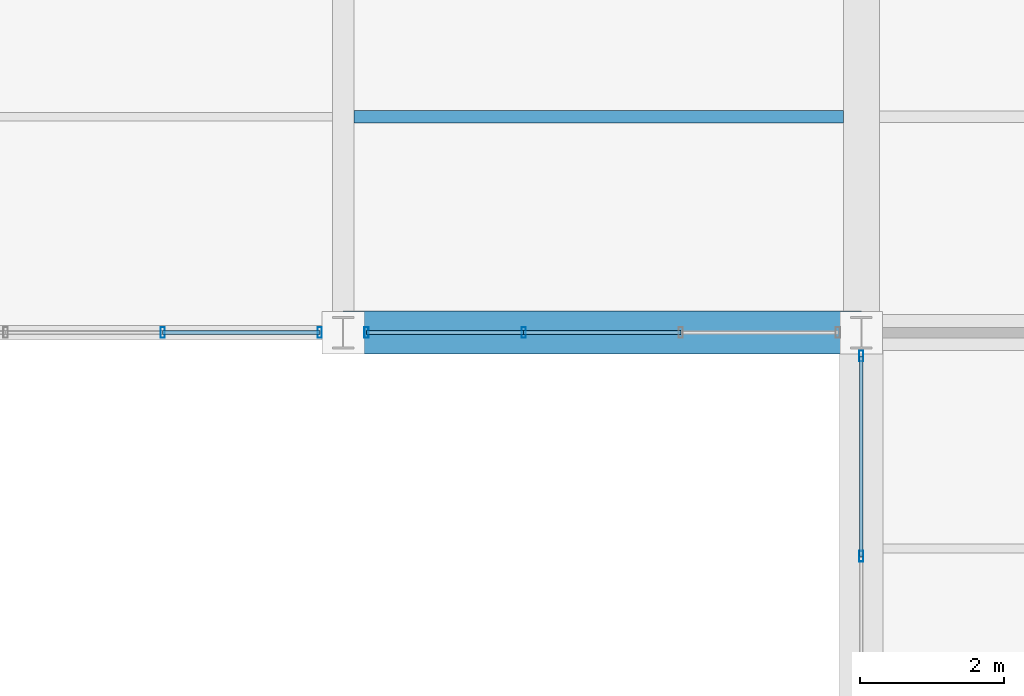
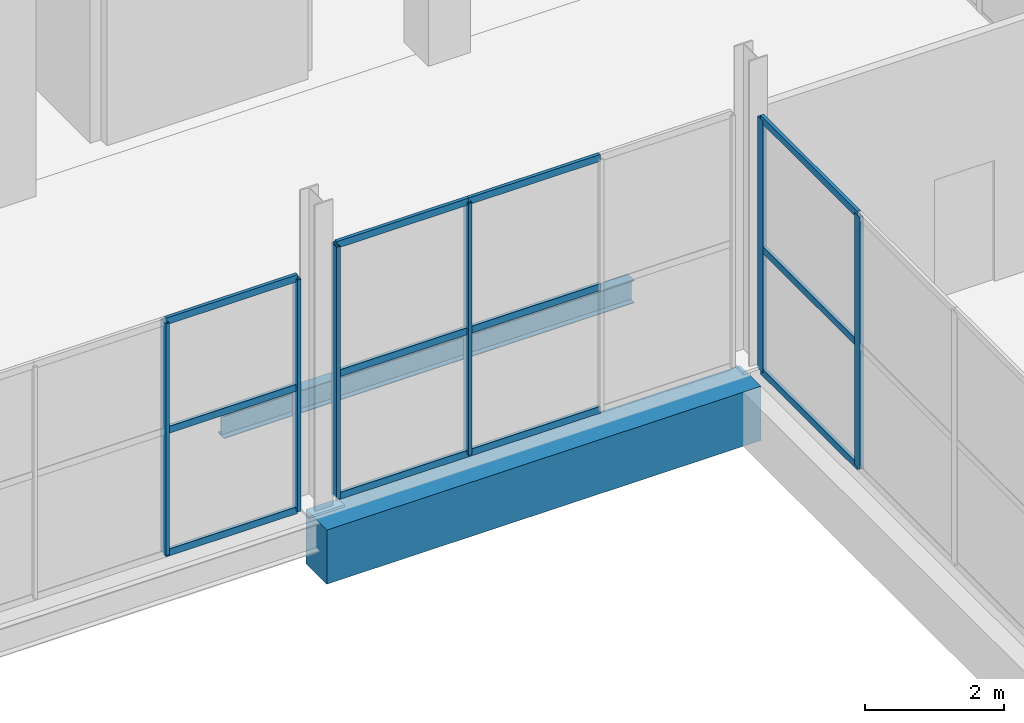
# One storey, part 93 of 147: 18 members, 2 beams, 3 elements without a shape of their own.
"""IFC4 building model written with IfcOpenShell, lengths in metres."""

from ifc_helpers import new_model, si_unit, direction, frame, origin, origin_2d, place, context, subcontext, project, spatial, rectangle, hollow_rectangle, i_section, extrude, material, layer, layer_set, material_profile, profile_set, type_object, element, aggregate, save


model = new_model("IFC4")

# Units and contexts
model_context = context("Model", 3, precision=1e-05, world=origin(), true_north=direction((0.0, 1.0)))
body_context = subcontext(model_context, "Body", "Model", "MODEL_VIEW")
ifc_project = project(units=[si_unit("LENGTHUNIT", "METRE"), si_unit("AREAUNIT", "SQUARE_METRE"), si_unit("VOLUMEUNIT", "CUBIC_METRE"), si_unit("PLANEANGLEUNIT", "RADIAN"), si_unit("MASSUNIT", "GRAM", prefix="KILO")], contexts=[model_context])

# Site, building, storey
site_placement = place(None, origin())
site = spatial("IfcSite", under=ifc_project, at=site_placement, CompositionType="ELEMENT")
building_placement = place(site_placement, origin())
building = spatial("IfcBuilding", under=site, at=building_placement, Name="Sundgate Opera House", CompositionType="ELEMENT")
storey_placement = place(building_placement, frame((0.0, 0.0, 6.0)))
storey = spatial("IfcBuildingStorey", under=building, at=storey_placement, Name="L01", CompositionType="ELEMENT", Elevation=6.0)

# Beams
ifc_material_1 = material(Name="Steel S355J2", Category="steel")
ifc_material_profile_1 = material_profile(ifc_material_1, i_section(OverallWidth=0.179931640625, OverallDepth=0.39990234375, WebThickness=0.008544921875, FlangeThickness=0.013427734375, at=origin_2d()), Name="IPE 400")
ifc_profile_set_1 = profile_set([ifc_material_profile_1], Name="Steel S355J2")
beam_type_1 = type_object("IfcBeamType", Name="BM-JS-IPE400", PredefinedType="JOIST", material=ifc_profile_set_1)
beam_1_placement = place(storey_placement, frame((131.550048828125, 63.0, -0.5), z_axis=(1.0, 0.0, 0.0), x_axis=(0.0, 1.0, 0.0)))
element("IfcBeam", 1, at=beam_1_placement, inside=storey, type_object=beam_type_1, Name="L01 Secondary Floor Joist B1604", PredefinedType="JOIST", context=body_context, shape_type="SweptSolid", body=[
    extrude(i_section(OverallWidth=0.179931640625, OverallDepth=0.39990234375, WebThickness=0.008544921875, FlangeThickness=0.013427734375, at=origin_2d()), origin(), (0.0, 0.0, 1.0), 6.800048828125),
])
ifc_material_2 = material(Name="Concrete C40/50", Category="concrete")
ifc_material_profile_2 = material_profile(ifc_material_2, rectangle(XDim=0.60009765625, YDim=0.949951171875, at=origin_2d()), Name="RC 600x950")
ifc_profile_set_2 = profile_set([ifc_material_profile_2], Name="Concrete C40/50")
beam_type_2 = type_object("IfcBeamType", Name="BM-RC-600x950", PredefinedType="BEAM", material=ifc_profile_set_2)
beam_2_placement = place(storey_placement, frame((131.39990234375, 60.0, -0.77490234375), z_axis=(1.0, 0.0, 0.0), x_axis=(0.0, 1.0, 0.0)))
element("IfcBeam", 2, at=beam_2_placement, inside=storey, type_object=beam_type_2, Name="L01 Primary E-W Girder B1353", PredefinedType="BEAM", context=body_context, shape_type="SweptSolid", body=[
    extrude(rectangle(XDim=0.60009765625, YDim=0.949951171875, at=origin_2d()), origin(), (0.0, 0.0, 1.0), 7.2001953125),
])

# Curtain wall, members
ifc_material_3 = material(Name="Anodized aluminium and low-iron glass", Category="aluminium")
ifc_layer = layer(ifc_material_3, 0.159912109375)
ifc_layer_set = layer_set([ifc_layer], Name="Anodized aluminium and low-iron glass")
curtain_wall_type = type_object("IfcCurtainWallType", Name="CW-STUDIO-DARK", PredefinedType="NOTDEFINED", material=ifc_layer_set)
curtain_wall_1_placement = place(storey_placement, origin())
curtain_wall_1 = element("IfcCurtainWall", 3, at=curtain_wall_1_placement, inside=storey, type_object=curtain_wall_type, Name="L01 Curtain Wall CW055", PredefinedType="NOTDEFINED")
ifc_material_4 = material(Name="Anodized aluminium EN AW-6063", Category="aluminium")
ifc_material_profile_3 = material_profile(ifc_material_4, hollow_rectangle(XDim=0.06005859375, YDim=0.14990234375, WallThickness=0.00390625, at=origin_2d()), Name="CWM 150x60x4")
ifc_profile_set_3 = profile_set([ifc_material_profile_3], Name="Anodized aluminium EN AW-6063")
member_type_1 = type_object("IfcMemberType", Name="CWM-ALU-150x60", PredefinedType="MULLION", material=ifc_profile_set_3)
member_1_placement = place(storey_placement, frame((131.074951171875, 60.0, 0.0), z_axis=(0.0, 0.0, 1.0), x_axis=(1.0, 0.0, 0.0)))
member_1 = element("IfcMember", 4, at=member_1_placement, type_object=member_type_1, Name="CW055 Mullion 1", PredefinedType="MULLION", context=body_context, shape_type="SweptSolid", body=[
    extrude(hollow_rectangle(XDim=0.06005859375, YDim=0.14990234375, WallThickness=0.00390625, at=origin_2d()), origin(), (0.0, 0.0, 1.0), 4.06494140625),
])
member_2_placement = place(storey_placement, frame((128.8916015625, 60.0, 0.0), z_axis=(0.0, 0.0, 1.0), x_axis=(1.0, 0.0, 0.0)))
member_2 = element("IfcMember", 5, at=member_2_placement, type_object=member_type_1, Name="CW055 Mullion 2", PredefinedType="MULLION", context=body_context, shape_type="SweptSolid", body=[
    extrude(hollow_rectangle(XDim=0.06005859375, YDim=0.14990234375, WallThickness=0.00390625, at=origin_2d()), origin(), (0.0, 0.0, 1.0), 4.06494140625),
])

curtain_wall_2_placement = place(storey_placement, origin())
curtain_wall_2 = element("IfcCurtainWall", 6, at=curtain_wall_2_placement, inside=storey, type_object=curtain_wall_type, Name="L01 Curtain Wall CW057", PredefinedType="NOTDEFINED")
member_3_placement = place(storey_placement, frame((133.908447265625, 60.0, 0.0), z_axis=(0.0, 0.0, 1.0), x_axis=(1.0, 0.0, 0.0)))
member_3 = element("IfcMember", 7, at=member_3_placement, type_object=member_type_1, Name="CW057 Mullion 3", PredefinedType="MULLION", context=body_context, shape_type="SweptSolid", body=[
    extrude(hollow_rectangle(XDim=0.06005859375, YDim=0.14990234375, WallThickness=0.00390625, at=origin_2d()), origin(), (0.0, 0.0, 1.0), 4.4150390625),
])
member_4_placement = place(storey_placement, frame((131.72509765625, 60.0, 0.0), z_axis=(0.0, 0.0, 1.0), x_axis=(1.0, 0.0, 0.0)))
member_4 = element("IfcMember", 8, at=member_4_placement, type_object=member_type_1, Name="CW057 Mullion 4", PredefinedType="MULLION", context=body_context, shape_type="SweptSolid", body=[
    extrude(hollow_rectangle(XDim=0.06005859375, YDim=0.14990234375, WallThickness=0.00390625, at=origin_2d()), origin(), (0.0, 0.0, 1.0), 4.4150390625),
])

curtain_wall_3_placement = place(storey_placement, origin())
curtain_wall_3 = element("IfcCurtainWall", 9, at=curtain_wall_3_placement, inside=storey, type_object=curtain_wall_type, Name="L01 Curtain Wall CW061", PredefinedType="NOTDEFINED")
member_5_placement = place(storey_placement, frame((138.60009765625, 59.675048828125, 0.0), z_axis=(0.0, 0.0, 1.0), x_axis=(1.0, 0.0, 0.0)))
member_5 = element("IfcMember", 10, at=member_5_placement, type_object=member_type_1, Name="CW061 Mullion 1", PredefinedType="MULLION", context=body_context, shape_type="SweptSolid", body=[
    extrude(hollow_rectangle(XDim=0.06005859375, YDim=0.14990234375, WallThickness=0.00390625, at=origin_2d()), origin(), (0.0, 0.0, 1.0), 4.4150390625),
])
member_6_placement = place(storey_placement, frame((138.60009765625, 56.8916015625, 0.0), z_axis=(0.0, 0.0, 1.0), x_axis=(1.0, 0.0, 0.0)))
member_6 = element("IfcMember", 11, at=member_6_placement, type_object=member_type_1, Name="CW061 Mullion 2", PredefinedType="MULLION", context=body_context, shape_type="SweptSolid", body=[
    extrude(hollow_rectangle(XDim=0.06005859375, YDim=0.14990234375, WallThickness=0.00390625, at=origin_2d()), origin(), (0.0, 0.0, 1.0), 4.4150390625),
])

# Member
ifc_material_5 = material(Name="Anodized aluminium EN AW-6063", Category="aluminium")
ifc_material_profile_4 = material_profile(ifc_material_5, hollow_rectangle(XDim=0.054931640625, YDim=0.1201171875, WallThickness=0.00390625, at=origin_2d()), Name="CWT 120x55x4")
ifc_profile_set_4 = profile_set([ifc_material_profile_4], Name="Anodized aluminium EN AW-6063")
member_type_2 = type_object("IfcMemberType", Name="CWT-ALU-120x55", PredefinedType="USERDEFINED", material=ifc_profile_set_4)
member_7_placement = place(storey_placement, frame((131.074951171875, 60.0, 0.0), z_axis=(-1.0, 0.0, 0.0), x_axis=(0.0, -1.0, 0.0)))
member_7 = element("IfcMember", 12, at=member_7_placement, type_object=member_type_2, Name="CW055 Transom 1", ObjectType="TRANSOM", PredefinedType="USERDEFINED", context=body_context, shape_type="SweptSolid", body=[
    extrude(hollow_rectangle(XDim=0.054931640625, YDim=0.1201171875, WallThickness=0.00390625, at=origin_2d()), origin(), (0.0, 0.0, 1.0), 2.183349609375),
])

member_8_placement = place(storey_placement, frame((131.074951171875, 60.0, 2.14990234375), z_axis=(-1.0, 0.0, 0.0), x_axis=(0.0, -1.0, 0.0)))
member_8 = element("IfcMember", 13, at=member_8_placement, type_object=member_type_2, Name="CW055 Transom 2", ObjectType="TRANSOM", PredefinedType="USERDEFINED", context=body_context, shape_type="SweptSolid", body=[
    extrude(hollow_rectangle(XDim=0.054931640625, YDim=0.1201171875, WallThickness=0.00390625, at=origin_2d()), origin(), (0.0, 0.0, 1.0), 2.183349609375),
])

member_9_placement = place(storey_placement, frame((131.074951171875, 60.0, 4.06494140625), z_axis=(-1.0, 0.0, 0.0), x_axis=(0.0, -1.0, 0.0)))
member_9 = element("IfcMember", 14, at=member_9_placement, type_object=member_type_2, Name="CW055 Transom 3", ObjectType="TRANSOM", PredefinedType="USERDEFINED", context=body_context, shape_type="SweptSolid", body=[
    extrude(hollow_rectangle(XDim=0.054931640625, YDim=0.1201171875, WallThickness=0.00390625, at=origin_2d()), origin(), (0.0, 0.0, 1.0), 2.183349609375),
])

aggregate(curtain_wall_1, [member_1, member_2, member_7, member_8, member_9])

member_10_placement = place(storey_placement, frame((136.091552734375, 60.0, 0.0), z_axis=(-1.0, 0.0, 0.0), x_axis=(0.0, -1.0, 0.0)))
member_10 = element("IfcMember", 15, at=member_10_placement, type_object=member_type_2, Name="CW057 Transom 4", ObjectType="TRANSOM", PredefinedType="USERDEFINED", context=body_context, shape_type="SweptSolid", body=[
    extrude(hollow_rectangle(XDim=0.054931640625, YDim=0.1201171875, WallThickness=0.00390625, at=origin_2d()), origin(), (0.0, 0.0, 1.0), 2.18310546875),
])

member_11_placement = place(storey_placement, frame((136.091552734375, 60.0, 2.14990234375), z_axis=(-1.0, 0.0, 0.0), x_axis=(0.0, -1.0, 0.0)))
member_11 = element("IfcMember", 16, at=member_11_placement, type_object=member_type_2, Name="CW057 Transom 5", ObjectType="TRANSOM", PredefinedType="USERDEFINED", context=body_context, shape_type="SweptSolid", body=[
    extrude(hollow_rectangle(XDim=0.054931640625, YDim=0.1201171875, WallThickness=0.00390625, at=origin_2d()), origin(), (0.0, 0.0, 1.0), 2.18310546875),
])

member_12_placement = place(storey_placement, frame((136.091552734375, 60.0, 4.4150390625), z_axis=(-1.0, 0.0, 0.0), x_axis=(0.0, -1.0, 0.0)))
member_12 = element("IfcMember", 17, at=member_12_placement, type_object=member_type_2, Name="CW057 Transom 6", ObjectType="TRANSOM", PredefinedType="USERDEFINED", context=body_context, shape_type="SweptSolid", body=[
    extrude(hollow_rectangle(XDim=0.054931640625, YDim=0.1201171875, WallThickness=0.00390625, at=origin_2d()), origin(), (0.0, 0.0, 1.0), 2.18310546875),
])

member_13_placement = place(storey_placement, frame((133.908447265625, 60.0, 0.0), z_axis=(-1.0, 0.0, 0.0), x_axis=(0.0, -1.0, 0.0)))
member_13 = element("IfcMember", 18, at=member_13_placement, type_object=member_type_2, Name="CW057 Transom 7", ObjectType="TRANSOM", PredefinedType="USERDEFINED", context=body_context, shape_type="SweptSolid", body=[
    extrude(hollow_rectangle(XDim=0.054931640625, YDim=0.1201171875, WallThickness=0.00390625, at=origin_2d()), origin(), (0.0, 0.0, 1.0), 2.183349609375),
])

member_14_placement = place(storey_placement, frame((133.908447265625, 60.0, 2.14990234375), z_axis=(-1.0, 0.0, 0.0), x_axis=(0.0, -1.0, 0.0)))
member_14 = element("IfcMember", 19, at=member_14_placement, type_object=member_type_2, Name="CW057 Transom 8", ObjectType="TRANSOM", PredefinedType="USERDEFINED", context=body_context, shape_type="SweptSolid", body=[
    extrude(hollow_rectangle(XDim=0.054931640625, YDim=0.1201171875, WallThickness=0.00390625, at=origin_2d()), origin(), (0.0, 0.0, 1.0), 2.183349609375),
])

member_15_placement = place(storey_placement, frame((133.908447265625, 60.0, 4.4150390625), z_axis=(-1.0, 0.0, 0.0), x_axis=(0.0, -1.0, 0.0)))
member_15 = element("IfcMember", 20, at=member_15_placement, type_object=member_type_2, Name="CW057 Transom 9", ObjectType="TRANSOM", PredefinedType="USERDEFINED", context=body_context, shape_type="SweptSolid", body=[
    extrude(hollow_rectangle(XDim=0.054931640625, YDim=0.1201171875, WallThickness=0.00390625, at=origin_2d()), origin(), (0.0, 0.0, 1.0), 2.183349609375),
])

aggregate(curtain_wall_2, [member_3, member_4, member_10, member_11, member_12, member_13, member_14, member_15])

member_16_placement = place(storey_placement, frame((138.60009765625, 59.675048828125, 0.0), z_axis=(0.0, -1.0, 0.0), x_axis=(1.0, 0.0, 0.0)))
member_16 = element("IfcMember", 21, at=member_16_placement, type_object=member_type_2, Name="CW061 Transom 1", ObjectType="TRANSOM", PredefinedType="USERDEFINED", context=body_context, shape_type="SweptSolid", body=[
    extrude(hollow_rectangle(XDim=0.054931640625, YDim=0.1201171875, WallThickness=0.00390625, at=origin_2d()), origin(), (0.0, 0.0, 1.0), 2.783447265625),
])

member_17_placement = place(storey_placement, frame((138.60009765625, 59.675048828125, 2.14990234375), z_axis=(0.0, -1.0, 0.0), x_axis=(1.0, 0.0, 0.0)))
member_17 = element("IfcMember", 22, at=member_17_placement, type_object=member_type_2, Name="CW061 Transom 2", ObjectType="TRANSOM", PredefinedType="USERDEFINED", context=body_context, shape_type="SweptSolid", body=[
    extrude(hollow_rectangle(XDim=0.054931640625, YDim=0.1201171875, WallThickness=0.00390625, at=origin_2d()), origin(), (0.0, 0.0, 1.0), 2.783447265625),
])

member_18_placement = place(storey_placement, frame((138.60009765625, 59.675048828125, 4.4150390625), z_axis=(0.0, -1.0, 0.0), x_axis=(1.0, 0.0, 0.0)))
member_18 = element("IfcMember", 23, at=member_18_placement, type_object=member_type_2, Name="CW061 Transom 3", ObjectType="TRANSOM", PredefinedType="USERDEFINED", context=body_context, shape_type="SweptSolid", body=[
    extrude(hollow_rectangle(XDim=0.054931640625, YDim=0.1201171875, WallThickness=0.00390625, at=origin_2d()), origin(), (0.0, 0.0, 1.0), 2.783447265625),
])

aggregate(curtain_wall_3, [member_5, member_6, member_16, member_17, member_18])

save(model, "model.ifc")
